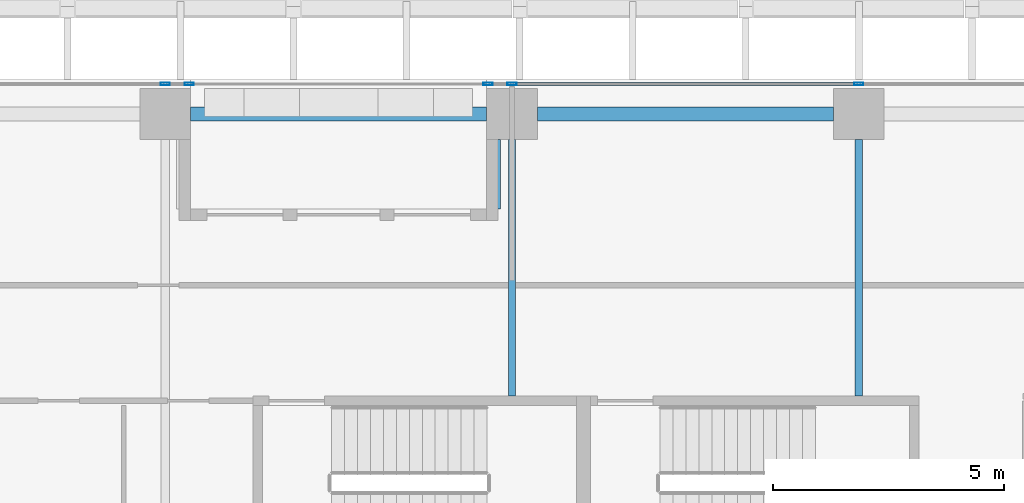
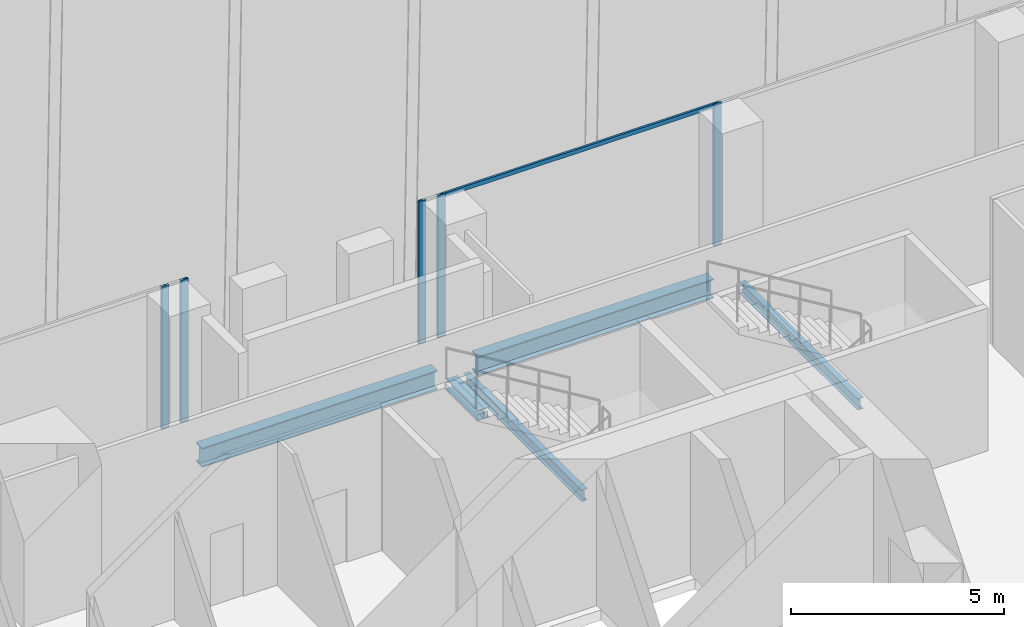
# One storey, part 17 of 36: 6 members, 5 beams, 2 elements without a shape of their own.
"""IFC4 building model written with IfcOpenShell, lengths in metres."""

import ifcopenshell
import ifcopenshell.guid

model = None  # the IFC model being written
_history = None  # IfcOwnerHistory: only IFC2X3 demands one
_inside = {}  # id of a spatial element -> (the spatial element, [elements in it])
_under = {}  # id of a project, library or spatial element -> (it, [spatial elements below it])
_declared = {}  # id of a project -> (the project, [libraries it declares])
_typed = {}  # id of a type object -> (the type object, [elements of that type])
_made_of = {}  # id of a material, layer set ... -> (it, [elements and type objects made of it])


def new_model(schema):
    """Start an empty IFC model of exactly this schema.

    Asked for "IFC4X3", IfcOpenShell would pick the latest addendum, in which some entities
    have other attributes; the version numbers below select the first issue.
    IFC2X3 requires an IfcOwnerHistory on every rooted entity: one is made here for all.
    """
    global model, _history
    if schema == "IFC4X3":
        model = ifcopenshell.file(schema_version=(4, 3, 0, 0))
    else:
        model = ifcopenshell.file(schema=schema)
    _inside.clear()
    _under.clear()
    _declared.clear()
    _typed.clear()
    _made_of.clear()
    _history = None
    if model.schema == "IFC2X3":
        org = make("IfcOrganization", Name="unknown")
        user = make(
            "IfcPersonAndOrganization",
            ThePerson=make("IfcPerson", FamilyName="unknown"),
            TheOrganization=org,
        )
        app = make(
            "IfcApplication",
            ApplicationDeveloper=org,
            Version="unknown",
            ApplicationFullName="unknown",
            ApplicationIdentifier="unknown",
        )
        _history = make(
            "IfcOwnerHistory",
            OwningUser=user,
            OwningApplication=app,
            ChangeAction="ADDED",
            CreationDate=0,
        )
    return model


def make(cls, **values):
    """One entity of the class cls with the attributes given. An attribute that is None is left unset."""
    return model.create_entity(
        cls, **{name: value for name, value in values.items() if value is not None}
    )


def rooted(cls, **values):
    """An entity with a GlobalId (a new one), such as an element, a storey or a relation."""
    return make(cls, GlobalId=ifcopenshell.guid.new(), OwnerHistory=_history, **values)


def si_unit(unit_type, name, prefix=None):
    """IfcSIUnit, for example si_unit("LENGTHUNIT", "METRE", prefix="MILLI")."""
    return make("IfcSIUnit", UnitType=unit_type, Prefix=prefix, Name=name)


def assignment(units):
    """IfcUnitAssignment: the units of a project."""
    return None if units is None else make("IfcUnitAssignment", Units=units)


def point(xyz):
    """IfcCartesianPoint."""
    return None if xyz is None else make("IfcCartesianPoint", Coordinates=xyz)


def direction(xyz):
    """IfcDirection."""
    return None if xyz is None else make("IfcDirection", DirectionRatios=xyz)


def frame(location, z_axis=None, x_axis=None):
    """IfcAxis2Placement3D, a coordinate frame: its origin and axes. An axis left out is left unset."""
    return make(
        "IfcAxis2Placement3D",
        Location=point(location),
        Axis=direction(z_axis),
        RefDirection=direction(x_axis),
    )


def frame_2d(location, x_axis=None):
    """IfcAxis2Placement2D, a coordinate frame in the plane: its origin and x axis."""
    return make(
        "IfcAxis2Placement2D", Location=point(location), RefDirection=direction(x_axis)
    )


def origin():
    """The frame at (0, 0, 0) with its axes left unset."""
    return frame((0.0, 0.0, 0.0))


def origin_2d():
    """The frame at (0, 0) in the plane with its x axis left unset."""
    return frame_2d((0.0, 0.0))


def place(relative_to, where):
    """IfcLocalPlacement: puts the frame where relative to a parent placement (None: the world)."""
    return make(
        "IfcLocalPlacement", PlacementRelTo=relative_to, RelativePlacement=where
    )


def context(
    kind, dimensions, precision=None, world=None, true_north=None, identifier=None
):
    """IfcGeometricRepresentationContext, for example the 3D "Model" context."""
    return make(
        "IfcGeometricRepresentationContext",
        ContextIdentifier=identifier,
        ContextType=kind,
        CoordinateSpaceDimension=dimensions,
        Precision=precision,
        WorldCoordinateSystem=world,
        TrueNorth=true_north,
    )


def subcontext(parent, identifier, kind, view, scale=None):
    """IfcGeometricRepresentationSubContext, for example "Body" below "Model"."""
    return make(
        "IfcGeometricRepresentationSubContext",
        ContextIdentifier=identifier,
        ContextType=kind,
        ParentContext=parent,
        TargetScale=scale,
        TargetView=view,
    )


def project(units=None, contexts=None):
    """IfcProject with its units and contexts."""
    return rooted(
        "IfcProject",
        Name="project",
        RepresentationContexts=contexts,
        UnitsInContext=assignment(units),
    )


def spatial(cls, under=None, at=None, **own):
    """A site, building, storey or space (cls), placed at a placement, below another one or the project."""
    s = rooted(cls, ObjectPlacement=at, **own)
    if under is not None:
        _under.setdefault(under.id(), (under, []))[1].append(s)
    return s


def profile(cls, at=None, kind="AREA", **sizes):
    """A parametric profile (cls). Its sizes go by their IFC names, for example OverallWidth=200.0."""
    return make(cls, ProfileType=kind, Position=at, **sizes)


def hollow_rectangle(**sizes):
    """IfcRectangleHollowProfileDef."""
    return profile("IfcRectangleHollowProfileDef", **sizes)


def i_section(**sizes):
    """IfcIShapeProfileDef."""
    return profile("IfcIShapeProfileDef", **sizes)


def extrude(swept, where, along, depth):
    """IfcExtrudedAreaSolid: the profile swept, set in the frame where, extruded along a direction by depth."""
    return make(
        "IfcExtrudedAreaSolid",
        SweptArea=swept,
        Position=where,
        ExtrudedDirection=direction(along),
        Depth=depth,
    )


def shape(context_of_items, identifier, shape_type, items):
    """IfcShapeRepresentation: the items that make up one representation, for example the "Body"."""
    return make(
        "IfcShapeRepresentation",
        ContextOfItems=context_of_items,
        RepresentationIdentifier=identifier,
        RepresentationType=shape_type,
        Items=items,
    )


def source(mapping_origin, context_of_items, identifier, shape_type, items):
    """IfcRepresentationMap: a shape defined once, which mapped items show again and again."""
    return make(
        "IfcRepresentationMap",
        MappingOrigin=mapping_origin,
        MappedRepresentation=shape(context_of_items, identifier, shape_type, items),
    )


def transform(
    local_origin,
    x_axis=None,
    y_axis=None,
    z_axis=None,
    scale=None,
    scale2=None,
    scale3=None,
    uniform=True,
):
    """IfcCartesianTransformationOperator3D, or its non-uniform kind. x_axis, y_axis, z_axis: its Axis1, 2, 3."""
    if uniform:
        return make(
            "IfcCartesianTransformationOperator3D",
            Axis1=direction(x_axis),
            Axis2=direction(y_axis),
            LocalOrigin=point(local_origin),
            Scale=scale,
            Axis3=direction(z_axis),
        )
    return make(
        "IfcCartesianTransformationOperator3DnonUniform",
        Axis1=direction(x_axis),
        Axis2=direction(y_axis),
        LocalOrigin=point(local_origin),
        Scale=scale,
        Axis3=direction(z_axis),
        Scale2=scale2,
        Scale3=scale3,
    )


def mapped(mapping_source, mapping_target):
    """IfcMappedItem: shows the shape of a source again, moved by a transform."""
    return make(
        "IfcMappedItem", MappingSource=mapping_source, MappingTarget=mapping_target
    )


def material(Name=None, Category=None):
    """IfcMaterial."""
    return make("IfcMaterial", Name=Name, Category=Category)


def material_profile(
    of_material, cross_section, Name=None, Category=None, Priority=None
):
    """IfcMaterialProfile: a cross section and its material."""
    return make(
        "IfcMaterialProfile",
        Name=Name,
        Material=of_material,
        Profile=cross_section,
        Priority=Priority,
        Category=Category,
    )


def profile_set(profiles, Name=None, composite=None):
    """IfcMaterialProfileSet."""
    return make(
        "IfcMaterialProfileSet",
        Name=Name,
        MaterialProfiles=profiles,
        CompositeProfile=composite,
    )


def made_of(thing, what):
    """Note that an element or type object is made of a material, layer set ...; save() writes the relation."""
    if what is not None:
        _made_of.setdefault(what.id(), (what, []))[1].append(thing)
    return thing


def type_object(cls, material=None, **own):
    """A type object (cls), such as IfcWallType, which elements share."""
    return made_of(rooted(cls, **own), material)


def element(
    cls,
    number,
    at=None,
    inside=None,
    cuts=None,
    type_object=None,
    material=None,
    context=None,
    identifier="Body",
    shape_type=None,
    held_by="IfcProductDefinitionShape",
    body=None,
    shapes=None,
    **own,
):
    """One element of the class cls, such as IfcWall. Its Tag is "e" and its number.

    at: its placement. inside: the storey or other place that contains it. cuts: it is an
    opening in that element (IfcRelVoidsElement). A single representation is given by context,
    identifier, shape_type and body (its items); several are given by shapes. held_by: the class
    of the entity that holds the representations. save() writes the other relations.
    """
    e = rooted(cls, Tag="e%d" % number, ObjectPlacement=at, **own)
    if body is not None:
        shapes = [shape(context, identifier, shape_type, body)]
    if shapes is not None:
        e.Representation = make(held_by, Representations=shapes)
    if inside is not None:
        _inside.setdefault(inside.id(), (inside, []))[1].append(e)
    if cuts is not None:
        rooted(
            "IfcRelVoidsElement", RelatingBuildingElement=cuts, RelatedOpeningElement=e
        )
    if type_object is not None:
        _typed.setdefault(type_object.id(), (type_object, []))[1].append(e)
    return made_of(e, material)


def aggregate(whole, parts):
    """IfcRelAggregates: a whole, such as a stair, and the parts it consists of."""
    return rooted("IfcRelAggregates", RelatingObject=whole, RelatedObjects=parts)


def save(model, path):
    """Write the relations noted so far, then the file.

    IfcRelAggregates (storeys below a building ...), IfcRelContainedInSpatialStructure (elements
    in a storey), IfcRelDefinesByType, IfcRelAssociatesMaterial and IfcRelDeclares: one each for
    every whole, place, type object, material and project.
    """
    for whole, parts in _under.values():
        aggregate(whole, parts)
    for where, things in _inside.values():
        rooted(
            "IfcRelContainedInSpatialStructure",
            RelatedElements=things,
            RelatingStructure=where,
        )
    for kind, things in _typed.values():
        rooted("IfcRelDefinesByType", RelatedObjects=things, RelatingType=kind)
    for what, things in _made_of.values():
        rooted("IfcRelAssociatesMaterial", RelatedObjects=things, RelatingMaterial=what)
    for by, libraries in _declared.values():
        rooted("IfcRelDeclares", RelatingContext=by, RelatedDefinitions=libraries)
    model.write(path)


model = new_model("IFC4")

# Units and contexts
model_context = context("Model", 3, precision=1e-05, world=origin(), true_north=direction((0.0, 1.0)))
body_context = subcontext(model_context, "Body", "Model", "MODEL_VIEW")
ifc_project = project(units=[si_unit("LENGTHUNIT", "METRE"), si_unit("AREAUNIT", "SQUARE_METRE"), si_unit("VOLUMEUNIT", "CUBIC_METRE"), si_unit("PLANEANGLEUNIT", "RADIAN"), si_unit("MASSUNIT", "GRAM", prefix="KILO")], contexts=[model_context])

# Site, building, storey
site_placement = place(None, origin())
site = spatial("IfcSite", under=ifc_project, at=site_placement, CompositionType="ELEMENT")
building_placement = place(site_placement, origin())
building = spatial("IfcBuilding", under=site, at=building_placement, Name="Khomas Fold Tower", CompositionType="ELEMENT")
storey_placement = place(building_placement, frame((0.0, 0.0, 141.10009765625)))
storey = spatial("IfcBuildingStorey", under=building, at=storey_placement, Name="L30", CompositionType="ELEMENT", Elevation=141.10009765625)

# Beams
ifc_material_1 = material(Name="Steel S355", Category="steel")
ifc_material_profile_1 = material_profile(ifc_material_1, i_section(OverallWidth=0.300048828125, OverallDepth=0.550048828125, WebThickness=0.014892578125, FlangeThickness=0.029052734375, at=origin_2d()), Name="HE 550 B")
ifc_profile_set_1 = profile_set([ifc_material_profile_1], Name="Steel S355")
beam_type_1 = type_object("IfcBeamType", Name="HE 550 B spandrel SB2", PredefinedType="SPANDREL", material=ifc_profile_set_1)
shared_shape_1 = source(origin(), body_context, "Body", "SweptSolid", [
    extrude(i_section(OverallWidth=0.300048828125, OverallDepth=0.550048828125, WebThickness=0.014892578125, FlangeThickness=0.029052734375, at=origin_2d()), origin(), (0.0, 0.0, 1.0), 6.39990234375),
])
for number, where, z_axis, x_axis, name in (
    (1, (20.050048828125, 51.75, -0.5751953125), (1.0, 0.0, 0.0), (0.0, 1.0, 0.0), "SB2"),
    (2, (12.550048828125, 51.75, -0.5751953125), (1.0, 0.0, 0.0), (0.0, 1.0, 0.0), "SB2"),
):
    element("IfcBeam", number, at=place(storey_placement, frame(where, z_axis=z_axis, x_axis=x_axis)), inside=storey, type_object=beam_type_1, Name=name, PredefinedType="SPANDREL", context=body_context, shape_type="MappedRepresentation", body=[
        mapped(shared_shape_1, transform((0.0, 0.0, 0.0))),
    ])
ifc_material_2 = material(Name="Steel S355", Category="steel")
ifc_material_profile_2 = material_profile(ifc_material_2, i_section(OverallWidth=0.159912109375, OverallDepth=0.330078125, WebThickness=0.007568359375, FlangeThickness=0.011474609375, at=origin_2d()), Name="IPE 330")
ifc_profile_set_2 = profile_set([ifc_material_profile_2], Name="Steel S355")
beam_type_2 = type_object("IfcBeamType", Name="IPE 330 beam JB1", PredefinedType="BEAM", material=ifc_profile_set_2)
shared_shape_2 = source(origin(), body_context, "Body", "SweptSolid", [
    extrude(i_section(OverallWidth=0.159912109375, OverallDepth=0.330078125, WebThickness=0.007568359375, FlangeThickness=0.011474609375, at=origin_2d()), origin(), (0.0, 0.0, 1.0), 5.550048828125),
])
for number, where, z_axis, x_axis, name in (
    (3, (19.5, 45.64990234375, -0.465087890625), (0.0, 1.0, 0.0), (-1.0, 0.0, 0.0), "JB1"),
    (4, (27.0, 45.64990234375, -0.465087890625), (0.0, 1.0, 0.0), (-1.0, 0.0, 0.0), "JB1"),
):
    element("IfcBeam", number, at=place(storey_placement, frame(where, z_axis=z_axis, x_axis=x_axis)), inside=storey, type_object=beam_type_2, Name=name, PredefinedType="BEAM", context=body_context, shape_type="MappedRepresentation", body=[
        mapped(shared_shape_2, transform((0.0, 0.0, 0.0))),
    ])
ifc_material_3 = material(Name="Steel S355", Category="steel")
ifc_material_profile_3 = material_profile(ifc_material_3, i_section(OverallWidth=0.300048828125, OverallDepth=0.300048828125, WebThickness=0.010986328125, FlangeThickness=0.01904296875, at=origin_2d()), Name="HE 300 B")
ifc_profile_set_3 = profile_set([ifc_material_profile_3], Name="Steel S355")
beam_type_3 = type_object("IfcBeamType", Name="HE 300 B beam BB1", PredefinedType="BEAM", material=ifc_profile_set_3)
shared_shape_3 = source(origin(), body_context, "Body", "SweptSolid", [
    extrude(i_section(OverallWidth=0.300048828125, OverallDepth=0.300048828125, WebThickness=0.010986328125, FlangeThickness=0.01904296875, at=origin_2d()), origin(), (0.0, 0.0, 1.0), 1.5),
])
beam_placement = place(storey_placement, frame((19.10009765625, 49.699951171875, -0.4501953125), z_axis=(0.0, 1.0, 0.0), x_axis=(-1.0, 0.0, 0.0)))
element("IfcBeam", 5, at=beam_placement, inside=storey, type_object=beam_type_3, Name="BB1", PredefinedType="BEAM", context=body_context, shape_type="MappedRepresentation", body=[
    mapped(shared_shape_3, transform((0.0, 0.0, 0.0))),
])

# Curtain wall, members
ifc_material_4 = material(Name="Aluminium framed double glazing", Category="aluminium")
curtain_wall_type = type_object("IfcCurtainWallType", Name="SK-Unitised clear-glass wall, growing floors CW1", PredefinedType="NOTDEFINED", material=ifc_material_4)
curtain_wall_1_placement = place(storey_placement, origin())
curtain_wall_1 = element("IfcCurtainWall", 6, at=curtain_wall_1_placement, inside=storey, type_object=curtain_wall_type, Name="CW1 run L30 06-0", PredefinedType="NOTDEFINED")
ifc_material_5 = material(Name="Aluminium", Category="aluminium")
ifc_material_profile_4 = material_profile(ifc_material_5, hollow_rectangle(XDim=0.06005859375, YDim=0.1201171875, WallThickness=0.00390625, at=origin_2d()), Name="SK-Unitised clear-glass wall, growing floors transom CW1-T")
ifc_profile_set_4 = profile_set([ifc_material_profile_4], Name="Aluminium")
member_type_1 = type_object("IfcMemberType", Name="SK-Unitised clear-glass wall, growing floors transom CW1-T", PredefinedType="USERDEFINED", material=ifc_profile_set_4)
shared_shape_4 = source(origin(), body_context, "Body", "SweptSolid", [
    extrude(hollow_rectangle(XDim=0.06005859375, YDim=0.1201171875, WallThickness=0.00390625, at=origin_2d()), origin(), (0.0, 0.0, 1.0), 7.43994140625),
])
member_1_placement = place(storey_placement, frame((26.969970703125, 52.39990234375, 4.039794921875), z_axis=(-1.0, 0.0, 0.0), x_axis=(0.0, -1.0, 0.0)))
member_1 = element("IfcMember", 7, at=member_1_placement, type_object=member_type_1, Name="CW1 transom 5", ObjectType="TRANSOM", PredefinedType="USERDEFINED", context=body_context, shape_type="MappedRepresentation", body=[
    mapped(shared_shape_4, transform((0.0, 0.0, 0.0))),
])
ifc_material_6 = material(Name="Aluminium", Category="aluminium")
ifc_material_profile_5 = material_profile(ifc_material_6, hollow_rectangle(XDim=0.06005859375, YDim=0.199951171875, WallThickness=0.00390625, at=origin_2d()), Name="SK-Unitised clear-glass wall, growing floors mullion CW1-M")
ifc_profile_set_5 = profile_set([ifc_material_profile_5], Name="Aluminium")
member_type_2 = type_object("IfcMemberType", Name="SK-Unitised clear-glass wall, growing floors mullion CW1-M", PredefinedType="MULLION", material=ifc_profile_set_5)
shared_shape_5 = source(origin(), body_context, "Body", "SweptSolid", [
    extrude(hollow_rectangle(XDim=0.06005859375, YDim=0.199951171875, WallThickness=0.00390625, at=origin_2d()), origin(), (0.0, 0.0, 1.0), 4.099853515625),
])
member_2_placement = place(storey_placement, frame((27.0, 52.39990234375, 0.0), z_axis=(0.0, 0.0, 1.0), x_axis=(0.0, -1.0, 0.0)))
member_2 = element("IfcMember", 8, at=member_2_placement, type_object=member_type_2, Name="CW1 mullion 5", PredefinedType="MULLION", context=body_context, shape_type="MappedRepresentation", body=[
    mapped(shared_shape_5, transform((0.0, 0.0, 0.0))),
])
member_3_placement = place(storey_placement, frame((19.5, 52.39990234375, 0.0), z_axis=(0.0, 0.0, 1.0), x_axis=(0.0, -1.0, 0.0)))
member_3 = element("IfcMember", 9, at=member_3_placement, type_object=member_type_2, Name="CW1 mullion 6", PredefinedType="MULLION", context=body_context, shape_type="MappedRepresentation", body=[
    mapped(shared_shape_5, transform((0.0, 0.0, 0.0))),
])
member_4_placement = place(storey_placement, frame((18.97998046875, 52.39990234375, 0.0), z_axis=(0.0, 0.0, 1.0), x_axis=(0.0, -1.0, 0.0)))
member_4 = element("IfcMember", 10, at=member_4_placement, type_object=member_type_2, Name="CW1 mullion 7", PredefinedType="MULLION", context=body_context, shape_type="MappedRepresentation", body=[
    mapped(shared_shape_5, transform((0.0, 0.0, 0.0))),
])
aggregate(curtain_wall_1, [member_2, member_3, member_4, member_1])

curtain_wall_2_placement = place(storey_placement, origin())
curtain_wall_2 = element("IfcCurtainWall", 11, at=curtain_wall_2_placement, inside=storey, type_object=curtain_wall_type, Name="CW1 run L30 06-1", PredefinedType="NOTDEFINED")
member_5_placement = place(storey_placement, frame((12.52001953125, 52.39990234375, 0.0), z_axis=(0.0, 0.0, 1.0), x_axis=(0.0, -1.0, 0.0)))
member_5 = element("IfcMember", 12, at=member_5_placement, type_object=member_type_2, Name="CW1 mullion 1", PredefinedType="MULLION", context=body_context, shape_type="MappedRepresentation", body=[
    mapped(shared_shape_5, transform((0.0, 0.0, 0.0))),
])
member_6_placement = place(storey_placement, frame((12.0, 52.39990234375, 0.0), z_axis=(0.0, 0.0, 1.0), x_axis=(0.0, -1.0, 0.0)))
member_6 = element("IfcMember", 13, at=member_6_placement, type_object=member_type_2, Name="CW1 mullion 2", PredefinedType="MULLION", context=body_context, shape_type="MappedRepresentation", body=[
    mapped(shared_shape_5, transform((0.0, 0.0, 0.0))),
])
aggregate(curtain_wall_2, [member_5, member_6])

save(model, "model.ifc")
